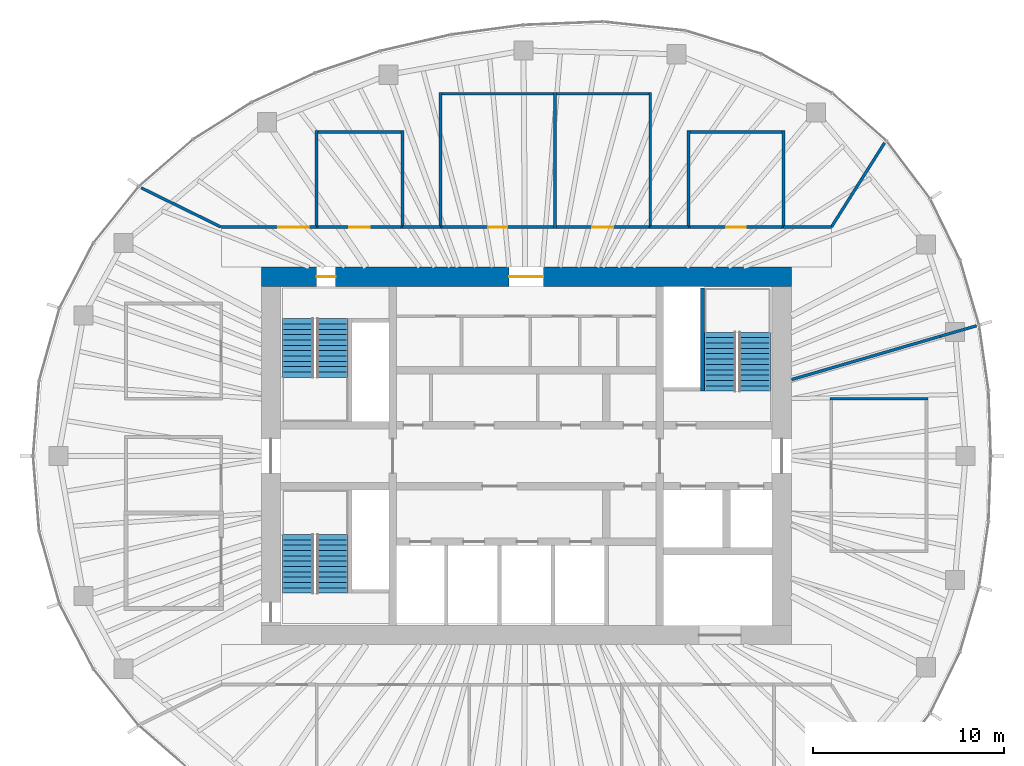
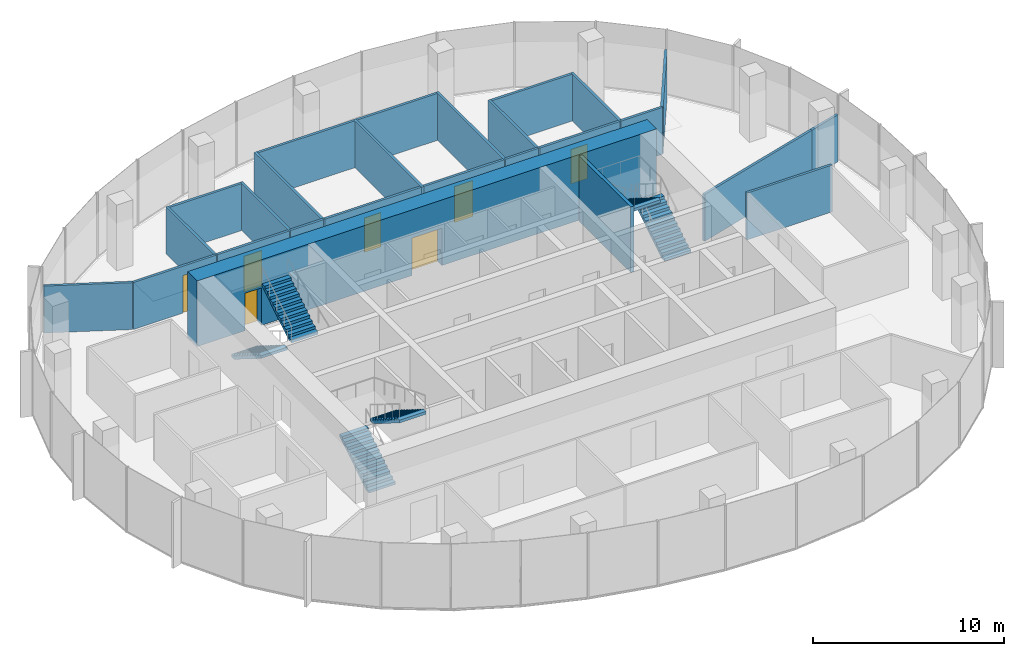
# One storey, part 10 of 11: 26 walls, 7 doors, 6 stair flights, 7 openings, 3 elements without a shape of their own.
"""IFC4 building model written with IfcOpenShell, lengths in metres."""

from ifc_helpers import new_model, si_unit, direction, frame, frame_2d, origin, place, context, subcontext, project, spatial, polyline, rectangle, outline, extrude, material, layer, layer_set, type_object, element, fill, aggregate, save


model = new_model("IFC4")

# Units and contexts
model_context = context("Model", 3, precision=1e-05, world=origin(), true_north=direction((0.0, 1.0)))
body_context = subcontext(model_context, "Body", "Model", "MODEL_VIEW")
ifc_project = project(units=[si_unit("LENGTHUNIT", "METRE"), si_unit("AREAUNIT", "SQUARE_METRE"), si_unit("VOLUMEUNIT", "CUBIC_METRE"), si_unit("PLANEANGLEUNIT", "RADIAN"), si_unit("MASSUNIT", "GRAM", prefix="KILO")], contexts=[model_context])

# Site, building, storey
site_placement = place(None, origin())
site = spatial("IfcSite", under=ifc_project, at=site_placement, CompositionType="ELEMENT")
building_placement = place(site_placement, origin())
building = spatial("IfcBuilding", under=site, at=building_placement, Name="Ghaith Harvest Tower", CompositionType="ELEMENT")
storey_placement = place(building_placement, frame((0.0, 0.0, 309.0)))
storey = spatial("IfcBuildingStorey", under=building, at=storey_placement, Name="L69", CompositionType="ELEMENT", Elevation=309.0)

# Wall, openings, doors
ifc_material_1 = material(Name="Concrete C50/60", Category="concrete")
ifc_layer_1 = layer(ifc_material_1, 1.0)
ifc_layer_set_1 = layer_set([ifc_layer_1], Name="CORE WALL CW1000")
wall_type_1 = type_object("IfcWallType", Name="CORE WALL CW1000", PredefinedType="SHEAR", material=ifc_layer_set_1)
wall_1_placement = place(storey_placement, frame((13.89990234375, 9.39990234375, 0.0), z_axis=(0.0, 0.0, 1.0), x_axis=(-1.0, 0.0, 0.0)))
wall_1 = element("IfcWall", 1, at=wall_1_placement, inside=storey, type_object=wall_type_1, Name="Core wall N L69", PredefinedType="SHEAR", context=body_context, shape_type="SweptSolid", body=[
    extrude(rectangle(XDim=27.7998046875, YDim=1.0, at=frame_2d((13.89990234375, 0.0))), origin(), (0.0, 0.0, 1.0), 4.199951171875),
])
opening_1_placement = place(wall_1_placement, frame((23.89990234375, 0.0, 0.0)))
opening_1 = element("IfcOpeningElement", 2, at=opening_1_placement, cuts=wall_1, Name="Opening 69-005", PredefinedType="OPENING", context=body_context, shape_type="SweptSolid", body=[
    extrude(rectangle(XDim=1.0, YDim=2.39990234375, at=frame_2d((0.5, 1.199951171875))), frame((0.0, 0.510009765625, 0.0), z_axis=(0.0, -1.0, 0.0), x_axis=(1.0, 0.0, 0.0)), (0.0, 0.0, 1.0), 1.02001953125),
])
opening_2_placement = place(wall_1_placement, frame((13.0, 0.0, 0.0)))
opening_2 = element("IfcOpeningElement", 3, at=opening_2_placement, cuts=wall_1, Name="Opening 69-019", PredefinedType="OPENING", context=body_context, shape_type="SweptSolid", body=[
    extrude(rectangle(XDim=1.800048828125, YDim=2.39990234375, at=frame_2d((0.89990234375, 1.199951171875))), frame((0.0, 0.510009765625, 0.0), z_axis=(0.0, -1.0, 0.0), x_axis=(1.0, 0.0, 0.0)), (0.0, 0.0, 1.0), 1.02001953125),
])
ifc_material_2 = material(Name="Steel fire door", Category="steel")
door_type_1 = type_object("IfcDoorType", Name="D3 FD90 1000x2400", OperationType="SINGLE_SWING_LEFT", PredefinedType="DOOR", material=ifc_material_2)
door_1_placement = place(opening_1_placement, origin())
door_1 = element("IfcDoor", 4, at=door_1_placement, inside=storey, type_object=door_type_1, Name="Stair ST1 door", OperationType="SINGLE_SWING_RIGHT", OverallHeight=2.39990234375, OverallWidth=1.0, PredefinedType="DOOR", context=body_context, shape_type="SweptSolid", body=[
    extrude(rectangle(XDim=1.0, YDim=2.39990234375, at=frame_2d((0.5, 1.199951171875))), frame((0.0, 0.02490234375, 0.0), z_axis=(0.0, -1.0, 0.0), x_axis=(1.0, 0.0, 0.0)), (0.0, 0.0, 1.0), 0.050048828125),
])
fill(opening_1, door_1)
ifc_material_3 = material(Name="Steel fire door", Category="steel")
door_type_2 = type_object("IfcDoorType", Name="D4 FD90 PAIR 1800x2400", OperationType="DOUBLE_DOOR_SINGLE_SWING", PredefinedType="DOOR", material=ifc_material_3)
door_2_placement = place(opening_2_placement, origin())
door_2 = element("IfcDoor", 5, at=door_2_placement, inside=storey, type_object=door_type_2, Name="Core service corridor doors", OperationType="DOUBLE_DOOR_SINGLE_SWING", OverallHeight=2.39990234375, OverallWidth=1.800048828125, PredefinedType="DOOR", context=body_context, shape_type="SweptSolid", body=[
    extrude(rectangle(XDim=1.800048828125, YDim=2.39990234375, at=frame_2d((0.89990234375, 1.199951171875))), frame((0.0, 0.02490234375, 0.0), z_axis=(0.0, -1.0, 0.0), x_axis=(1.0, 0.0, 0.0)), (0.0, 0.0, 1.0), 0.050048828125),
])
fill(opening_2, door_2)

# Walls
ifc_material_4 = material(Name="Gypsum board on steel studs", Category="steel")
ifc_layer_2 = layer(ifc_material_4, 0.14990234375)
ifc_layer_set_2 = layer_set([ifc_layer_2], Name="PARTITION 150")
wall_type_2 = type_object("IfcWallType", Name="PARTITION 150", PredefinedType="PARTITIONING", material=ifc_layer_set_2)
for number, where, z_axis, x_axis, name in (
    (6, (-4.5, 11.925048828125, 0.0), (0.0, 0.0, 1.0), (0.0, 1.0, 0.0), "Partition L69 row N1 cross wall 1"),
    (7, (1.5, 11.925048828125, 0.0), (0.0, 0.0, 1.0), (0.0, 1.0, 0.0), "Partition L69 row N1 cross wall 2"),
    (8, (6.5, 11.925048828125, 0.0), (0.0, 0.0, 1.0), (0.0, 1.0, 0.0), "Partition L69 row N1 cross wall 3"),
):
    element("IfcWall", number, at=place(storey_placement, frame(where, z_axis=z_axis, x_axis=x_axis)), inside=storey, type_object=wall_type_2, Name=name, PredefinedType="PARTITIONING", context=body_context, shape_type="SweptSolid", body=[
        extrude(rectangle(XDim=7.14990234375, YDim=0.14990234375, at=frame_2d((3.574951171875, 0.0))), origin(), (0.0, 0.0, 1.0), 3.0),
    ])

# Wall, opening, door
wall_2_placement = place(storey_placement, frame((-4.425048828125, 12.0, 0.0), z_axis=(0.0, 0.0, 1.0), x_axis=(1.0, 0.0, 0.0)))
wall_2 = element("IfcWall", 9, at=wall_2_placement, inside=storey, type_object=wall_type_2, Name="Partition L69-01", PredefinedType="PARTITIONING", context=body_context, shape_type="SweptSolid", body=[
    extrude(rectangle(XDim=5.85009765625, YDim=0.14990234375, at=frame_2d((2.925048828125, 0.0))), origin(), (0.0, 0.0, 1.0), 3.0),
])
opening_3_placement = place(wall_2_placement, frame((2.425048828125, 0.0, 0.0)))
opening_3 = element("IfcOpeningElement", 10, at=opening_3_placement, cuts=wall_2, Name="Opening 69-027", PredefinedType="OPENING", context=body_context, shape_type="SweptSolid", body=[
    extrude(rectangle(XDim=1.0, YDim=2.199951171875, at=frame_2d((0.5, 1.10009765625))), frame((0.0, 0.0849609375, 0.0), z_axis=(0.0, -1.0, 0.0), x_axis=(1.0, 0.0, 0.0)), (0.0, 0.0, 1.0), 0.169921875),
])
ifc_material_5 = material(Name="Timber door", Category="wood")
door_type_3 = type_object("IfcDoorType", Name="D1 SINGLE 1000x2200", OperationType="SINGLE_SWING_LEFT", PredefinedType="DOOR", material=ifc_material_5)
door_3_placement = place(opening_3_placement, origin())
door_3 = element("IfcDoor", 11, at=door_3_placement, inside=storey, type_object=door_type_3, Name="Pollinator room door", OperationType="SINGLE_SWING_LEFT", OverallHeight=2.199951171875, OverallWidth=1.0, PredefinedType="DOOR", context=body_context, shape_type="SweptSolid", body=[
    extrude(rectangle(XDim=1.0, YDim=2.199951171875, at=frame_2d((0.5, 1.10009765625))), frame((0.0, 0.02490234375, 0.0), z_axis=(0.0, -1.0, 0.0), x_axis=(1.0, 0.0, 0.0)), (0.0, 0.0, 1.0), 0.050048828125),
])
fill(opening_3, door_3)

# Wall
wall_3_placement = place(storey_placement, frame((-4.425048828125, 19.0, 0.0), z_axis=(0.0, 0.0, 1.0), x_axis=(1.0, 0.0, 0.0)))
element("IfcWall", 12, at=wall_3_placement, inside=storey, type_object=wall_type_2, Name="Partition L69-01", PredefinedType="PARTITIONING", context=body_context, shape_type="SweptSolid", body=[
    extrude(rectangle(XDim=5.85009765625, YDim=0.14990234375, at=frame_2d((2.925048828125, 0.0))), origin(), (0.0, 0.0, 1.0), 3.0),
])

# Wall, opening, door
wall_4_placement = place(storey_placement, frame((1.574951171875, 12.0, 0.0), z_axis=(0.0, 0.0, 1.0), x_axis=(1.0, 0.0, 0.0)))
wall_4 = element("IfcWall", 13, at=wall_4_placement, inside=storey, type_object=wall_type_2, Name="Partition L69-02", PredefinedType="PARTITIONING", context=body_context, shape_type="SweptSolid", body=[
    extrude(rectangle(XDim=4.85009765625, YDim=0.14990234375, at=frame_2d((2.425048828125, 0.0))), origin(), (0.0, 0.0, 1.0), 3.0),
])
opening_4_placement = place(wall_4_placement, frame((1.875, 0.0, 0.0)))
opening_4 = element("IfcOpeningElement", 14, at=opening_4_placement, cuts=wall_4, Name="Opening 69-028", PredefinedType="OPENING", context=body_context, shape_type="SweptSolid", body=[
    extrude(rectangle(XDim=1.10009765625, YDim=2.300048828125, at=frame_2d((0.550048828125, 1.14990234375))), frame((0.0, 0.0849609375, 0.0), z_axis=(0.0, -1.0, 0.0), x_axis=(1.0, 0.0, 0.0)), (0.0, 0.0, 1.0), 0.169921875),
])
ifc_material_6 = material(Name="Timber-framed glazed door", Category="wood")
door_type_4 = type_object("IfcDoorType", Name="D12 GLAZED OFFICE 1100x2300", OperationType="SINGLE_SWING_LEFT", PredefinedType="DOOR", material=ifc_material_6)
door_4_placement = place(opening_4_placement, origin())
door_4 = element("IfcDoor", 15, at=door_4_placement, inside=storey, type_object=door_type_4, Name="Crop office door", OperationType="SINGLE_SWING_LEFT", OverallHeight=2.300048828125, OverallWidth=1.10009765625, PredefinedType="DOOR", context=body_context, shape_type="SweptSolid", body=[
    extrude(rectangle(XDim=1.10009765625, YDim=2.300048828125, at=frame_2d((0.550048828125, 1.14990234375))), frame((0.0, 0.02490234375, 0.0), z_axis=(0.0, -1.0, 0.0), x_axis=(1.0, 0.0, 0.0)), (0.0, 0.0, 1.0), 0.050048828125),
])
fill(opening_4, door_4)

# Walls
wall_5_placement = place(storey_placement, frame((1.574951171875, 19.0, 0.0), z_axis=(0.0, 0.0, 1.0), x_axis=(1.0, 0.0, 0.0)))
element("IfcWall", 16, at=wall_5_placement, inside=storey, type_object=wall_type_2, Name="Partition L69-02", PredefinedType="PARTITIONING", context=body_context, shape_type="SweptSolid", body=[
    extrude(rectangle(XDim=4.85009765625, YDim=0.14990234375, at=frame_2d((2.425048828125, 0.0))), origin(), (0.0, 0.0, 1.0), 3.0),
])
for number, where, z_axis, x_axis, name in (
    (17, (15.925048828125, 3.0, 0.0), (0.0, 0.0, 1.0), (1.0, 0.0, 0.0), "Partition L69 row E5 cross wall 2"),
    (18, (-11.0, 11.925048828125, 0.0), (0.0, 0.0, 1.0), (0.0, 1.0, 0.0), "Partition L69 row N6 cross wall 1"),
    (19, (-6.5, 11.925048828125, 0.0), (0.0, 0.0, 1.0), (0.0, 1.0, 0.0), "Partition L69 row N6 cross wall 2"),
):
    element("IfcWall", number, at=place(storey_placement, frame(where, z_axis=z_axis, x_axis=x_axis)), inside=storey, type_object=wall_type_2, Name=name, PredefinedType="PARTITIONING", context=body_context, shape_type="SweptSolid", body=[
        extrude(rectangle(XDim=5.14990234375, YDim=0.14990234375, at=frame_2d((2.574951171875, 0.0))), origin(), (0.0, 0.0, 1.0), 3.0),
    ])

# Wall, opening, door
wall_6_placement = place(storey_placement, frame((-10.925048828125, 12.0, 0.0), z_axis=(0.0, 0.0, 1.0), x_axis=(1.0, 0.0, 0.0)))
wall_6 = element("IfcWall", 20, at=wall_6_placement, inside=storey, type_object=wall_type_2, Name="Partition L69-09", PredefinedType="PARTITIONING", context=body_context, shape_type="SweptSolid", body=[
    extrude(rectangle(XDim=4.35009765625, YDim=0.14990234375, at=frame_2d((2.175048828125, 0.0))), origin(), (0.0, 0.0, 1.0), 3.0),
])
opening_5_placement = place(wall_6_placement, frame((1.625, 0.0, 0.0)))
opening_5 = element("IfcOpeningElement", 21, at=opening_5_placement, cuts=wall_6, Name="Opening 69-035", PredefinedType="OPENING", context=body_context, shape_type="SweptSolid", body=[
    extrude(rectangle(XDim=1.10009765625, YDim=2.300048828125, at=frame_2d((0.550048828125, 1.14990234375))), frame((0.0, 0.0849609375, 0.0), z_axis=(0.0, -1.0, 0.0), x_axis=(1.0, 0.0, 0.0)), (0.0, 0.0, 1.0), 0.169921875),
])
door_5_placement = place(opening_5_placement, origin())
door_5 = element("IfcDoor", 22, at=door_5_placement, inside=storey, type_object=door_type_4, Name="Office door", OperationType="SINGLE_SWING_LEFT", OverallHeight=2.300048828125, OverallWidth=1.10009765625, PredefinedType="DOOR", context=body_context, shape_type="SweptSolid", body=[
    extrude(rectangle(XDim=1.10009765625, YDim=2.300048828125, at=frame_2d((0.550048828125, 1.14990234375))), frame((0.0, 0.02490234375, 0.0), z_axis=(0.0, -1.0, 0.0), x_axis=(1.0, 0.0, 0.0)), (0.0, 0.0, 1.0), 0.050048828125),
])
fill(opening_5, door_5)

# Walls
wall_7_placement = place(storey_placement, frame((-10.925048828125, 17.0, 0.0), z_axis=(0.0, 0.0, 1.0), x_axis=(1.0, 0.0, 0.0)))
element("IfcWall", 23, at=wall_7_placement, inside=storey, type_object=wall_type_2, Name="Partition L69-09", PredefinedType="PARTITIONING", context=body_context, shape_type="SweptSolid", body=[
    extrude(rectangle(XDim=4.35009765625, YDim=0.14990234375, at=frame_2d((2.175048828125, 0.0))), origin(), (0.0, 0.0, 1.0), 3.0),
])
for number, where, z_axis, x_axis, name in (
    (24, (8.5, 11.925048828125, 0.0), (0.0, 0.0, 1.0), (0.0, 1.0, 0.0), "Partition L69 row N7 cross wall 1"),
    (25, (13.5, 11.925048828125, 0.0), (0.0, 0.0, 1.0), (0.0, 1.0, 0.0), "Partition L69 row N7 cross wall 2"),
):
    element("IfcWall", number, at=place(storey_placement, frame(where, z_axis=z_axis, x_axis=x_axis)), inside=storey, type_object=wall_type_2, Name=name, PredefinedType="PARTITIONING", context=body_context, shape_type="SweptSolid", body=[
        extrude(rectangle(XDim=5.14990234375, YDim=0.14990234375, at=frame_2d((2.574951171875, 0.0))), origin(), (0.0, 0.0, 1.0), 3.0),
    ])

# Wall, opening, door
wall_8_placement = place(storey_placement, frame((8.574951171875, 12.0, 0.0), z_axis=(0.0, 0.0, 1.0), x_axis=(1.0, 0.0, 0.0)))
wall_8 = element("IfcWall", 26, at=wall_8_placement, inside=storey, type_object=wall_type_2, Name="Partition L69-10", PredefinedType="PARTITIONING", context=body_context, shape_type="SweptSolid", body=[
    extrude(rectangle(XDim=4.85009765625, YDim=0.14990234375, at=frame_2d((2.425048828125, 0.0))), origin(), (0.0, 0.0, 1.0), 3.0),
])
opening_6_placement = place(wall_8_placement, frame((1.925048828125, 0.0, 0.0)))
opening_6 = element("IfcOpeningElement", 27, at=opening_6_placement, cuts=wall_8, Name="Opening 69-036", PredefinedType="OPENING", context=body_context, shape_type="SweptSolid", body=[
    extrude(rectangle(XDim=1.0, YDim=2.199951171875, at=frame_2d((0.5, 1.10009765625))), frame((0.0, 0.0849609375, 0.0), z_axis=(0.0, -1.0, 0.0), x_axis=(1.0, 0.0, 0.0)), (0.0, 0.0, 1.0), 0.169921875),
])
door_6_placement = place(opening_6_placement, origin())
door_6 = element("IfcDoor", 28, at=door_6_placement, inside=storey, type_object=door_type_3, Name="Hive room door", OperationType="SINGLE_SWING_LEFT", OverallHeight=2.199951171875, OverallWidth=1.0, PredefinedType="DOOR", context=body_context, shape_type="SweptSolid", body=[
    extrude(rectangle(XDim=1.0, YDim=2.199951171875, at=frame_2d((0.5, 1.10009765625))), frame((0.0, 0.02490234375, 0.0), z_axis=(0.0, -1.0, 0.0), x_axis=(1.0, 0.0, 0.0)), (0.0, 0.0, 1.0), 0.050048828125),
])
fill(opening_6, door_6)

# Walls
wall_9_placement = place(storey_placement, frame((8.574951171875, 17.0, 0.0), z_axis=(0.0, 0.0, 1.0), x_axis=(1.0, 0.0, 0.0)))
element("IfcWall", 29, at=wall_9_placement, inside=storey, type_object=wall_type_2, Name="Partition L69-10", PredefinedType="PARTITIONING", context=body_context, shape_type="SweptSolid", body=[
    extrude(rectangle(XDim=4.85009765625, YDim=0.14990234375, at=frame_2d((2.425048828125, 0.0))), origin(), (0.0, 0.0, 1.0), 3.0),
])
wall_10_placement = place(storey_placement, frame((-16.017822265625, 12.0087890625, 0.0), z_axis=(0.0, 0.0, 1.0), x_axis=(-0.897771840996, 0.440460805879, 0.0)))
element("IfcWall", 30, at=wall_10_placement, inside=storey, type_object=wall_type_2, Name="Partition L69 zone division", PredefinedType="PARTITIONING", context=body_context, shape_type="SweptSolid", body=[
    extrude(rectangle(XDim=4.66552734375, YDim=0.14990234375, at=frame_2d((2.332763671875, 0.0))), origin(), (0.0, 0.0, 1.0), 3.0),
])
wall_11_placement = place(storey_placement, frame((16.0107421875, 12.016845703125, 0.0), z_axis=(0.0, 0.0, 1.0), x_axis=(0.53415837449, 0.845384427916, 0.0)))
element("IfcWall", 31, at=wall_11_placement, inside=storey, type_object=wall_type_2, Name="Partition L69 zone division", PredefinedType="PARTITIONING", context=body_context, shape_type="SweptSolid", body=[
    extrude(rectangle(XDim=5.220458984375, YDim=0.14990234375, at=frame_2d((2.6103515625, 0.0))), origin(), (0.0, 0.0, 1.0), 3.0),
])
wall_12_placement = place(storey_placement, frame((13.919921875, 4.005859375, 0.0), z_axis=(0.0, 0.0, 1.0), x_axis=(0.960105665242, 0.279637464534, 0.0)))
element("IfcWall", 32, at=wall_12_placement, inside=storey, type_object=wall_type_2, Name="Partition L69 zone division", PredefinedType="PARTITIONING", context=body_context, shape_type="SweptSolid", body=[
    extrude(rectangle(XDim=8.120361328125, YDim=0.14990234375, at=frame_2d((4.06005859375, 0.0))), origin(), (0.0, 0.0, 1.0), 3.0),
])
wall_13_placement = place(storey_placement, frame((21.71630859375, 6.276611328125, 0.0), z_axis=(0.0, 0.0, 1.0), x_axis=(0.960705414675, 0.277570002366, 0.0)))
element("IfcWall", 33, at=wall_13_placement, inside=storey, type_object=wall_type_2, Name="Partition L69 zone division", PredefinedType="PARTITIONING", context=body_context, shape_type="SweptSolid", body=[
    extrude(rectangle(XDim=1.97998046875, YDim=0.14990234375, at=frame_2d((0.989990234375, 0.0))), origin(), (0.0, 0.0, 1.0), 3.0),
])

# Wall, opening, door
wall_14_placement = place(storey_placement, frame((-11.0, 12.0, 0.0), z_axis=(0.0, 0.0, 1.0), x_axis=(-1.0, 0.0, 0.0)))
wall_14 = element("IfcWall", 34, at=wall_14_placement, inside=storey, type_object=wall_type_2, Name="Partition L69 zone enclosure", PredefinedType="PARTITIONING", context=body_context, shape_type="SweptSolid", body=[
    extrude(rectangle(XDim=5.0, YDim=0.14990234375, at=frame_2d((2.5, 0.0))), origin(), (0.0, 0.0, 1.0), 3.0),
])
opening_7_placement = place(wall_14_placement, frame((0.39990234375, 0.0, 0.0)))
opening_7 = element("IfcOpeningElement", 35, at=opening_7_placement, cuts=wall_14, Name="Opening 69-038", PredefinedType="OPENING", context=body_context, shape_type="SweptSolid", body=[
    extrude(rectangle(XDim=1.60009765625, YDim=2.39990234375, at=frame_2d((0.800048828125, 1.199951171875))), frame((0.0, 0.0849609375, 0.0), z_axis=(0.0, -1.0, 0.0), x_axis=(1.0, 0.0, 0.0)), (0.0, 0.0, 1.0), 0.169921875),
])
ifc_material_7 = material(Name="Timber door", Category="wood")
door_type_5 = type_object("IfcDoorType", Name="D2 PAIR 1600x2400", OperationType="DOUBLE_DOOR_SINGLE_SWING", PredefinedType="DOOR", material=ifc_material_7)
door_7_placement = place(opening_7_placement, origin())
door_7 = element("IfcDoor", 36, at=door_7_placement, inside=storey, type_object=door_type_5, Name="Berry growing area north door", OperationType="DOUBLE_DOOR_SINGLE_SWING", OverallHeight=2.39990234375, OverallWidth=1.60009765625, PredefinedType="DOOR", context=body_context, shape_type="SweptSolid", body=[
    extrude(rectangle(XDim=1.60009765625, YDim=2.39990234375, at=frame_2d((0.800048828125, 1.199951171875))), frame((0.0, 0.02490234375, 0.0), z_axis=(0.0, -1.0, 0.0), x_axis=(1.0, 0.0, 0.0)), (0.0, 0.0, 1.0), 0.050048828125),
])
fill(opening_7, door_7)

# Walls
for number, where, z_axis, x_axis, name in (
    (37, (-4.5, 12.0, 0.0), (0.0, 0.0, 1.0), (-1.0, 0.0, 0.0), "Partition L69 zone enclosure"),
    (38, (8.5, 12.0, 0.0), (0.0, 0.0, 1.0), (-1.0, 0.0, 0.0), "Partition L69 zone enclosure"),
):
    element("IfcWall", number, at=place(storey_placement, frame(where, z_axis=z_axis, x_axis=x_axis)), inside=storey, type_object=wall_type_2, Name=name, PredefinedType="PARTITIONING", context=body_context, shape_type="SweptSolid", body=[
        extrude(rectangle(XDim=2.0, YDim=0.14990234375, at=frame_2d((1.0, 0.0))), origin(), (0.0, 0.0, 1.0), 3.0),
    ])
wall_15_placement = place(storey_placement, frame((16.0, 12.0, 0.0), z_axis=(0.0, 0.0, 1.0), x_axis=(-1.0, 0.0, 0.0)))
element("IfcWall", 39, at=wall_15_placement, inside=storey, type_object=wall_type_2, Name="Partition L69 zone enclosure", PredefinedType="PARTITIONING", context=body_context, shape_type="SweptSolid", body=[
    extrude(rectangle(XDim=2.5, YDim=0.14990234375, at=frame_2d((1.25, 0.0))), origin(), (0.0, 0.0, 1.0), 3.0),
])
ifc_material_8 = material(Name="Concrete C40/50", Category="concrete")
ifc_layer_3 = layer(ifc_material_8, 0.199951171875)
ifc_layer_set_3 = layer_set([ifc_layer_3], Name="STAIR SPINE WALL RC200")
wall_type_3 = type_object("IfcWallType", Name="STAIR SPINE WALL RC200", PredefinedType="SOLIDWALL", material=ifc_layer_set_3)
wall_16_placement = place(storey_placement, frame((9.25, 3.39990234375, 0.0), z_axis=(0.0, 0.0, 1.0), x_axis=(0.0, 1.0, 0.0)))
element("IfcWall", 40, at=wall_16_placement, inside=storey, type_object=wall_type_3, Name="Stair ST2 spine wall L69", PredefinedType="SOLIDWALL", context=body_context, shape_type="SweptSolid", body=[
    extrude(rectangle(XDim=5.400146484375, YDim=0.199951171875, at=frame_2d((2.7001953125, 0.0))), origin(), (0.0, 0.0, 1.0), 4.199951171875),
])

# Stair, stair flights
ifc_material_9 = material(Name="Concrete C40/50, precast", Category="concrete")
stair_type = type_object("IfcStairType", Name="CORE STAIR 24R", PredefinedType="HALF_TURN_STAIR", material=ifc_material_9)
stair_1_placement = place(storey_placement, origin())
stair_1 = element("IfcStair", 41, at=stair_1_placement, inside=storey, type_object=stair_type, Name="Stair ST1 L69", PredefinedType="HALF_TURN_STAIR")
ifc_material_10 = material(Name="Concrete C40/50, precast", Category="concrete")
stair_flight_type = type_object("IfcStairFlightType", Name="CORE FLIGHT 12R 1600", PredefinedType="STRAIGHT", material=ifc_material_10)
stair_flight_1_placement = place(storey_placement, frame((-12.0, 7.199951171875, 0.0), z_axis=(0.0, 0.0, 1.0), x_axis=(0.0, -1.0, 0.0)))
stair_flight_1 = element("IfcStairFlight", 42, at=stair_flight_1_placement, type_object=stair_flight_type, Name="ST1 flight 1", NumberOfRisers=12, NumberOfTreads=11, PredefinedType="STRAIGHT", RiserHeight=0.175, TreadLength=0.28, context=body_context, shape_type="SweptSolid", body=[
    extrude(outline(polyline([(0.0, 0.0), (0.0, 0.175048828125), (0.280029296875, 0.175048828125), (0.280029296875, 0.35009765625), (0.56005859375, 0.35009765625), (0.56005859375, 0.52490234375), (0.840087890625, 0.52490234375), (0.840087890625, 0.699951171875), (1.1201171875, 0.699951171875), (1.1201171875, 0.875), (1.39990234375, 0.875), (1.39990234375, 1.050048828125), (1.679931640625, 1.050048828125), (1.679931640625, 1.22509765625), (1.9599609375, 1.22509765625), (1.9599609375, 1.39990234375), (2.239990234375, 1.39990234375), (2.239990234375, 1.574951171875), (2.52001953125, 1.574951171875), (2.52001953125, 1.75), (2.800048828125, 1.75), (2.800048828125, 1.925048828125), (3.080078125, 1.925048828125), (3.080078125, 2.10009765625), (3.080078125, 1.748291015625), (0.28271484375, 0.0), (0.0, 0.0)])), frame((0.0, 0.800048828125, 0.0), z_axis=(0.0, -1.0, 0.0), x_axis=(1.0, 0.0, 0.0)), (0.0, 0.0, 1.0), 1.60009765625),
])
stair_flight_2_placement = place(storey_placement, frame((-10.14990234375, 4.1201171875, 2.10009765625), z_axis=(0.0, 0.0, 1.0), x_axis=(0.0, 1.0, 0.0)))
stair_flight_2 = element("IfcStairFlight", 43, at=stair_flight_2_placement, type_object=stair_flight_type, Name="ST1 flight 2", NumberOfRisers=12, NumberOfTreads=11, PredefinedType="STRAIGHT", RiserHeight=0.175, TreadLength=0.28, context=body_context, shape_type="SweptSolid", body=[
    extrude(outline(polyline([(0.0, 0.0), (0.0, 0.175048828125), (0.280029296875, 0.175048828125), (0.280029296875, 0.35009765625), (0.56005859375, 0.35009765625), (0.56005859375, 0.52490234375), (0.840087890625, 0.52490234375), (0.840087890625, 0.699951171875), (1.1201171875, 0.699951171875), (1.1201171875, 0.875), (1.39990234375, 0.875), (1.39990234375, 1.050048828125), (1.679931640625, 1.050048828125), (1.679931640625, 1.22509765625), (1.9599609375, 1.22509765625), (1.9599609375, 1.39990234375), (2.239990234375, 1.39990234375), (2.239990234375, 1.574951171875), (2.52001953125, 1.574951171875), (2.52001953125, 1.75), (2.800048828125, 1.75), (2.800048828125, 1.925048828125), (3.080078125, 1.925048828125), (3.080078125, 2.10009765625), (3.080078125, 1.748291015625), (0.28271484375, 0.0), (0.0, 0.0)])), frame((0.0, 0.800048828125, 0.0), z_axis=(0.0, -1.0, 0.0), x_axis=(1.0, 0.0, 0.0)), (0.0, 0.0, 1.0), 1.60009765625),
])
aggregate(stair_1, [stair_flight_1, stair_flight_2])

stair_2_placement = place(storey_placement, origin())
stair_2 = element("IfcStair", 44, at=stair_2_placement, inside=storey, type_object=stair_type, Name="Stair ST3 L69", PredefinedType="HALF_TURN_STAIR")
stair_flight_3_placement = place(storey_placement, frame((-12.0, -7.199951171875, 0.0), z_axis=(0.0, 0.0, 1.0), x_axis=(0.0, 1.0, 0.0)))
stair_flight_3 = element("IfcStairFlight", 45, at=stair_flight_3_placement, type_object=stair_flight_type, Name="ST3 flight 1", NumberOfRisers=12, NumberOfTreads=11, PredefinedType="STRAIGHT", RiserHeight=0.175, TreadLength=0.28, context=body_context, shape_type="SweptSolid", body=[
    extrude(outline(polyline([(0.0, 0.0), (0.0, 0.175048828125), (0.280029296875, 0.175048828125), (0.280029296875, 0.35009765625), (0.56005859375, 0.35009765625), (0.56005859375, 0.52490234375), (0.840087890625, 0.52490234375), (0.840087890625, 0.699951171875), (1.1201171875, 0.699951171875), (1.1201171875, 0.875), (1.39990234375, 0.875), (1.39990234375, 1.050048828125), (1.679931640625, 1.050048828125), (1.679931640625, 1.22509765625), (1.9599609375, 1.22509765625), (1.9599609375, 1.39990234375), (2.239990234375, 1.39990234375), (2.239990234375, 1.574951171875), (2.52001953125, 1.574951171875), (2.52001953125, 1.75), (2.800048828125, 1.75), (2.800048828125, 1.925048828125), (3.080078125, 1.925048828125), (3.080078125, 2.10009765625), (3.080078125, 1.748291015625), (0.28271484375, 0.0), (0.0, 0.0)])), frame((0.0, 0.800048828125, 0.0), z_axis=(0.0, -1.0, 0.0), x_axis=(1.0, 0.0, 0.0)), (0.0, 0.0, 1.0), 1.60009765625),
])
stair_flight_4_placement = place(storey_placement, frame((-10.14990234375, -4.1201171875, 2.10009765625), z_axis=(0.0, 0.0, 1.0), x_axis=(0.0, -1.0, 0.0)))
stair_flight_4 = element("IfcStairFlight", 46, at=stair_flight_4_placement, type_object=stair_flight_type, Name="ST3 flight 2", NumberOfRisers=12, NumberOfTreads=11, PredefinedType="STRAIGHT", RiserHeight=0.175, TreadLength=0.28, context=body_context, shape_type="SweptSolid", body=[
    extrude(outline(polyline([(0.0, 0.0), (0.0, 0.175048828125), (0.280029296875, 0.175048828125), (0.280029296875, 0.35009765625), (0.56005859375, 0.35009765625), (0.56005859375, 0.52490234375), (0.840087890625, 0.52490234375), (0.840087890625, 0.699951171875), (1.1201171875, 0.699951171875), (1.1201171875, 0.875), (1.39990234375, 0.875), (1.39990234375, 1.050048828125), (1.679931640625, 1.050048828125), (1.679931640625, 1.22509765625), (1.9599609375, 1.22509765625), (1.9599609375, 1.39990234375), (2.239990234375, 1.39990234375), (2.239990234375, 1.574951171875), (2.52001953125, 1.574951171875), (2.52001953125, 1.75), (2.800048828125, 1.75), (2.800048828125, 1.925048828125), (3.080078125, 1.925048828125), (3.080078125, 2.10009765625), (3.080078125, 1.748291015625), (0.28271484375, 0.0), (0.0, 0.0)])), frame((0.0, 0.800048828125, 0.0), z_axis=(0.0, -1.0, 0.0), x_axis=(1.0, 0.0, 0.0)), (0.0, 0.0, 1.0), 1.60009765625),
])
aggregate(stair_2, [stair_flight_3, stair_flight_4])

stair_3_placement = place(storey_placement, origin())
stair_3 = element("IfcStair", 47, at=stair_3_placement, inside=storey, type_object=stair_type, Name="Stair ST2 L69", PredefinedType="HALF_TURN_STAIR")
stair_flight_5_placement = place(storey_placement, frame((12.0, 3.39990234375, 0.0), z_axis=(0.0, 0.0, 1.0), x_axis=(0.0, 1.0, 0.0)))
stair_flight_5 = element("IfcStairFlight", 48, at=stair_flight_5_placement, type_object=stair_flight_type, Name="ST2 flight 1", NumberOfRisers=12, NumberOfTreads=11, PredefinedType="STRAIGHT", RiserHeight=0.175, TreadLength=0.28, context=body_context, shape_type="SweptSolid", body=[
    extrude(outline(polyline([(0.0, 0.0), (0.0, 0.175048828125), (0.280029296875, 0.175048828125), (0.280029296875, 0.35009765625), (0.56005859375, 0.35009765625), (0.56005859375, 0.52490234375), (0.840087890625, 0.52490234375), (0.840087890625, 0.699951171875), (1.1201171875, 0.699951171875), (1.1201171875, 0.875), (1.39990234375, 0.875), (1.39990234375, 1.050048828125), (1.679931640625, 1.050048828125), (1.679931640625, 1.22509765625), (1.9599609375, 1.22509765625), (1.9599609375, 1.39990234375), (2.239990234375, 1.39990234375), (2.239990234375, 1.574951171875), (2.52001953125, 1.574951171875), (2.52001953125, 1.75), (2.800048828125, 1.75), (2.800048828125, 1.925048828125), (3.080078125, 1.925048828125), (3.080078125, 2.10009765625), (3.080078125, 1.748291015625), (0.28271484375, 0.0), (0.0, 0.0)])), frame((0.0, 0.800048828125, 0.0), z_axis=(0.0, -1.0, 0.0), x_axis=(1.0, 0.0, 0.0)), (0.0, 0.0, 1.0), 1.60009765625),
])
stair_flight_6_placement = place(storey_placement, frame((10.14990234375, 6.47998046875, 2.10009765625), z_axis=(0.0, 0.0, 1.0), x_axis=(0.0, -1.0, 0.0)))
stair_flight_6 = element("IfcStairFlight", 49, at=stair_flight_6_placement, type_object=stair_flight_type, Name="ST2 flight 2", NumberOfRisers=12, NumberOfTreads=11, PredefinedType="STRAIGHT", RiserHeight=0.175, TreadLength=0.28, context=body_context, shape_type="SweptSolid", body=[
    extrude(outline(polyline([(0.0, 0.0), (0.0, 0.175048828125), (0.280029296875, 0.175048828125), (0.280029296875, 0.35009765625), (0.56005859375, 0.35009765625), (0.56005859375, 0.52490234375), (0.840087890625, 0.52490234375), (0.840087890625, 0.699951171875), (1.1201171875, 0.699951171875), (1.1201171875, 0.875), (1.39990234375, 0.875), (1.39990234375, 1.050048828125), (1.679931640625, 1.050048828125), (1.679931640625, 1.22509765625), (1.9599609375, 1.22509765625), (1.9599609375, 1.39990234375), (2.239990234375, 1.39990234375), (2.239990234375, 1.574951171875), (2.52001953125, 1.574951171875), (2.52001953125, 1.75), (2.800048828125, 1.75), (2.800048828125, 1.925048828125), (3.080078125, 1.925048828125), (3.080078125, 2.10009765625), (3.080078125, 1.748291015625), (0.28271484375, 0.0), (0.0, 0.0)])), frame((0.0, 0.800048828125, 0.0), z_axis=(0.0, -1.0, 0.0), x_axis=(1.0, 0.0, 0.0)), (0.0, 0.0, 1.0), 1.60009765625),
])
aggregate(stair_3, [stair_flight_5, stair_flight_6])

save(model, "model.ifc")
